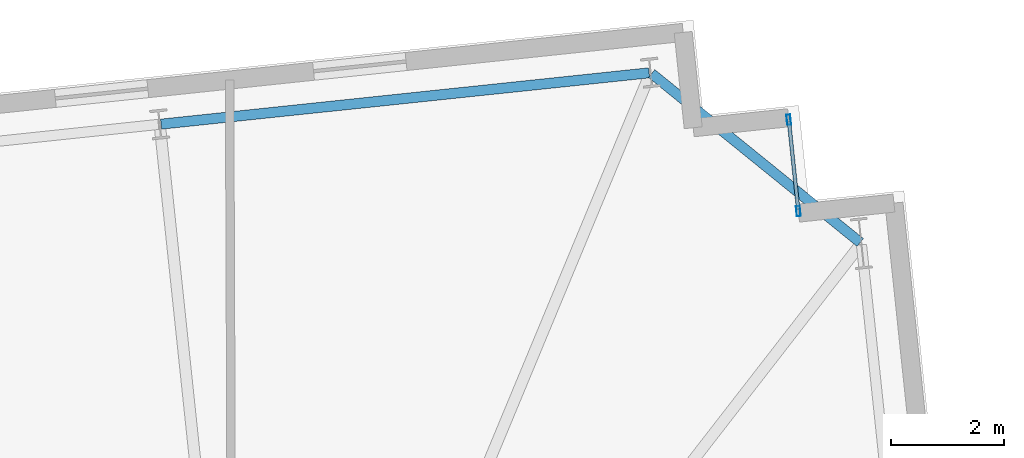
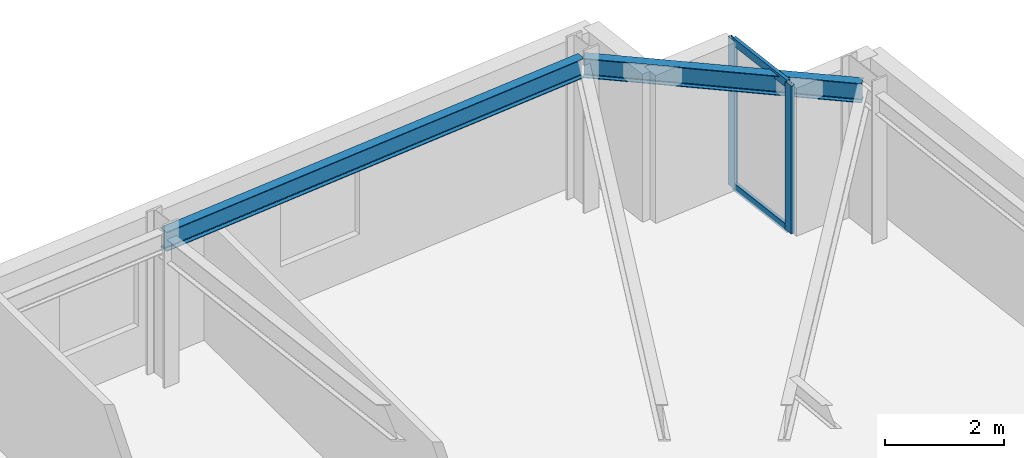
# One storey, part 10 of 20: 4 members, 2 beams, 1 element without a shape of its own.
"""IFC4 building model written with IfcOpenShell, lengths in metres."""

from ifc_helpers import new_model, si_unit, direction, frame, origin, origin_2d, place, context, subcontext, project, spatial, hollow_rectangle, i_section, extrude, material, layer, layer_set, material_profile, profile_set, type_object, element, aggregate, save


model = new_model("IFC4")

# Units and contexts
model_context = context("Model", 3, precision=1e-05, world=origin(), true_north=direction((0.0, 1.0)))
body_context = subcontext(model_context, "Body", "Model", "MODEL_VIEW")
ifc_project = project(units=[si_unit("LENGTHUNIT", "METRE"), si_unit("AREAUNIT", "SQUARE_METRE"), si_unit("VOLUMEUNIT", "CUBIC_METRE"), si_unit("PLANEANGLEUNIT", "RADIAN"), si_unit("MASSUNIT", "GRAM", prefix="KILO")], contexts=[model_context])

# Site, building, storey
site_placement = place(None, origin())
site = spatial("IfcSite", under=ifc_project, at=site_placement, CompositionType="ELEMENT")
building_placement = place(site_placement, origin())
building = spatial("IfcBuilding", under=site, at=building_placement, Name="Qobustan Lattice House", CompositionType="ELEMENT")
storey_placement = place(building_placement, frame((0.0, 0.0, 79.0)))
storey = spatial("IfcBuildingStorey", under=building, at=storey_placement, Name="L21", CompositionType="ELEMENT", Elevation=79.0)

# Beams
ifc_material_1 = material(Name="Steel S355", Category="steel")
ifc_material_profile_1 = material_profile(ifc_material_1, i_section(OverallWidth=0.179931640625, OverallDepth=0.39990234375, WebThickness=0.008544921875, FlangeThickness=0.013427734375, FilletRadius=0.02099609375, at=origin_2d()), Name="IPE400")
ifc_profile_set_1 = profile_set([ifc_material_profile_1], Name="Steel S355")
beam_type = type_object("IfcBeamType", Name="BM-SPD-IPE400", PredefinedType="SPANDREL", material=ifc_profile_set_1)
beam_1_placement = place(storey_placement, frame((29.536865234375, 19.484619140625, 2.844970703125), z_axis=(-0.777140911545, 0.629326627121, 0.0), x_axis=(-0.629326627121, -0.777140911545, 0.0)))
element("IfcBeam", 1, at=beam_1_placement, inside=storey, type_object=beam_type, Name="L21 perimeter spandrel E4-N1", PredefinedType="SPANDREL", context=body_context, shape_type="SweptSolid", body=[
    extrude(i_section(OverallWidth=0.179931640625, OverallDepth=0.39990234375, WebThickness=0.008544921875, FlangeThickness=0.013427734375, FilletRadius=0.02099609375, at=origin_2d()), origin(), (0.0, 0.0, 1.0), 4.758544921875),
])
beam_2_placement = place(storey_placement, frame((25.794677734375, 22.492431640625, 2.844970703125), z_axis=(-0.994521586424, -0.104531402636, 0.0), x_axis=(0.104531402636, -0.994521586424, 0.0)))
element("IfcBeam", 2, at=beam_2_placement, inside=storey, type_object=beam_type, Name="L21 perimeter spandrel N1-N2", PredefinedType="SPANDREL", context=body_context, shape_type="SweptSolid", body=[
    extrude(i_section(OverallWidth=0.179931640625, OverallDepth=0.39990234375, WebThickness=0.008544921875, FlangeThickness=0.013427734375, FilletRadius=0.02099609375, at=origin_2d()), origin(), (0.0, 0.0, 1.0), 8.699951171875),
])

# Curtain wall, members
ifc_material_2 = material(Name="Anodised aluminium and low-E glazing", Category="aluminium")
ifc_layer = layer(ifc_material_2, 0.219970703125)
ifc_layer_set = layer_set([ifc_layer], Name="Anodised aluminium and low-E glazing")
curtain_wall_type = type_object("IfcCurtainWallType", Name="CW-FAC-01", PredefinedType="USERDEFINED", material=ifc_layer_set)
curtain_wall_placement = place(storey_placement, origin())
curtain_wall = element("IfcCurtainWall", 3, at=curtain_wall_placement, inside=storey, type_object=curtain_wall_type, Name="L21 serrated corner faceted glazing 13", ObjectType="CURTAIN WALL", PredefinedType="USERDEFINED")
ifc_material_3 = material(Name="Anodised aluminium EN AW-6063 T6", Category="aluminium")
ifc_material_profile_2 = material_profile(ifc_material_3, hollow_rectangle(XDim=0.070068359375, YDim=0.179931640625, WallThickness=0.00439453125, at=origin_2d()), Name="CWM-180x70")
ifc_profile_set_2 = profile_set([ifc_material_profile_2], Name="Anodised aluminium EN AW-6063 T6")
member_type_1 = type_object("IfcMemberType", Name="CWM-STD-180", PredefinedType="MULLION", material=ifc_profile_set_2)
member_1_placement = place(storey_placement, frame((28.27001953125, 21.66162109375, 0.0), z_axis=(0.0, 0.0, 1.0), x_axis=(0.994521878892, 0.104528620025, 0.0)))
member_1 = element("IfcMember", 4, at=member_1_placement, type_object=member_type_1, Name="CW-F1 mullion 1", PredefinedType="MULLION", context=body_context, shape_type="SweptSolid", body=[
    extrude(hollow_rectangle(XDim=0.070068359375, YDim=0.179931640625, WallThickness=0.00439453125, at=origin_2d()), origin(), (0.0, 0.0, 1.0), 3.044921875),
])
member_2_placement = place(storey_placement, frame((28.4404296875, 20.04052734375, 0.0), z_axis=(0.0, 0.0, 1.0), x_axis=(0.994521878892, 0.104528620025, 0.0)))
member_2 = element("IfcMember", 5, at=member_2_placement, type_object=member_type_1, Name="CW-F1 mullion 2", PredefinedType="MULLION", context=body_context, shape_type="SweptSolid", body=[
    extrude(hollow_rectangle(XDim=0.070068359375, YDim=0.179931640625, WallThickness=0.00439453125, at=origin_2d()), origin(), (0.0, 0.0, 1.0), 3.044921875),
])
ifc_material_4 = material(Name="Anodised aluminium EN AW-6063 T6", Category="aluminium")
ifc_material_profile_3 = material_profile(ifc_material_4, hollow_rectangle(XDim=0.06494140625, YDim=0.159912109375, WallThickness=0.00390625, at=origin_2d()), Name="CWT-160x65")
ifc_profile_set_3 = profile_set([ifc_material_profile_3], Name="Anodised aluminium EN AW-6063 T6")
member_type_2 = type_object("IfcMemberType", Name="CWT-HOR-160", PredefinedType="USERDEFINED", material=ifc_profile_set_3)
member_3_placement = place(storey_placement, frame((28.273681640625, 21.626708984375, 0.032470703125), z_axis=(0.104538150424, -0.994520877159, 0.0), x_axis=(0.994520877159, 0.104538150424, 0.0)))
member_3 = element("IfcMember", 6, at=member_3_placement, type_object=member_type_2, Name="CW-F1 transom 1.1", ObjectType="TRANSOM", PredefinedType="USERDEFINED", context=body_context, shape_type="SweptSolid", body=[
    extrude(hollow_rectangle(XDim=0.06494140625, YDim=0.159912109375, WallThickness=0.00390625, at=origin_2d()), origin(), (0.0, 0.0, 1.0), 1.56005859375),
])
member_4_placement = place(storey_placement, frame((28.273681640625, 21.626708984375, 3.012451171875), z_axis=(0.104538150424, -0.994520877159, 0.0), x_axis=(0.994520877159, 0.104538150424, 0.0)))
member_4 = element("IfcMember", 7, at=member_4_placement, type_object=member_type_2, Name="CW-F1 transom 1.2", ObjectType="TRANSOM", PredefinedType="USERDEFINED", context=body_context, shape_type="SweptSolid", body=[
    extrude(hollow_rectangle(XDim=0.06494140625, YDim=0.159912109375, WallThickness=0.00390625, at=origin_2d()), origin(), (0.0, 0.0, 1.0), 1.56005859375),
])
aggregate(curtain_wall, [member_1, member_2, member_3, member_4])

save(model, "model.ifc")
